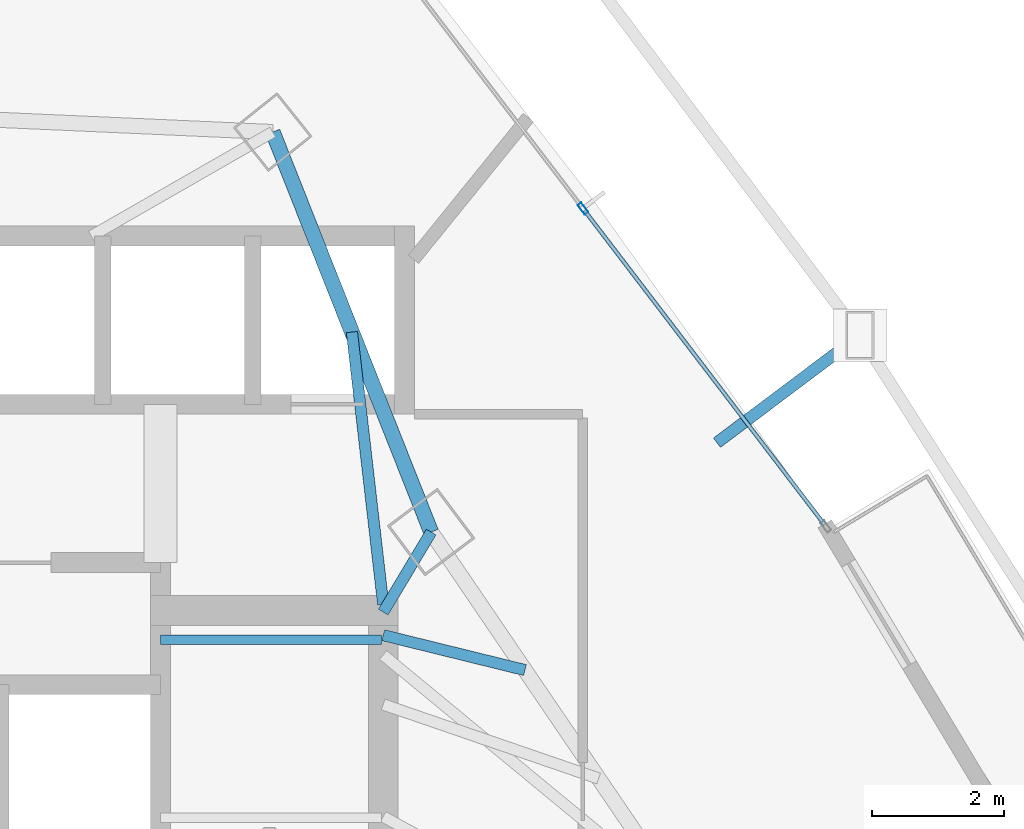
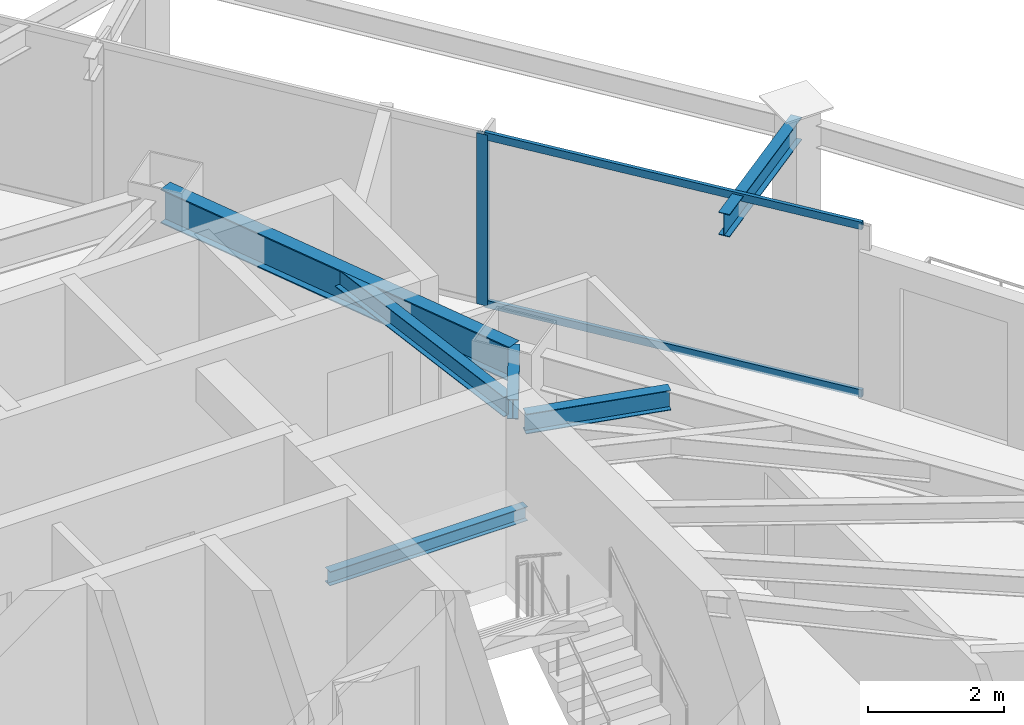
# One storey, part 25 of 33: 6 beams, 3 members, 1 element without a shape of its own.
"""IFC4 building model written with IfcOpenShell, lengths in metres."""

from ifc_helpers import new_model, si_unit, direction, frame, origin, origin_2d, place, context, subcontext, project, spatial, hollow_rectangle, i_section, extrude, material, layer, layer_set, material_profile, profile_set, type_object, element, aggregate, save


model = new_model("IFC4")

# Units and contexts
model_context = context("Model", 3, precision=1e-05, world=origin(), true_north=direction((0.0, 1.0)))
body_context = subcontext(model_context, "Body", "Model", "MODEL_VIEW")
ifc_project = project(units=[si_unit("LENGTHUNIT", "METRE"), si_unit("AREAUNIT", "SQUARE_METRE"), si_unit("VOLUMEUNIT", "CUBIC_METRE"), si_unit("PLANEANGLEUNIT", "RADIAN"), si_unit("MASSUNIT", "GRAM", prefix="KILO")], contexts=[model_context])

# Site, building, storey
site_placement = place(None, origin())
site = spatial("IfcSite", under=ifc_project, at=site_placement, CompositionType="ELEMENT")
building_placement = place(site_placement, origin())
building = spatial("IfcBuilding", under=site, at=building_placement, Name="Orvanel Arch Residences", CompositionType="ELEMENT")
storey_placement = place(building_placement, frame((0.0, 0.0, 87.35009765625)))
storey = spatial("IfcBuildingStorey", under=building, at=storey_placement, Name="L24", CompositionType="ELEMENT", Elevation=87.35009765625)

# Beams
ifc_material_1 = material(Name="Structural steel AS/NZS 3679.1 Grade 300 (300 MPa)", Category="steel")
ifc_material_profile_1 = material_profile(ifc_material_1, i_section(OverallWidth=0.14599609375, OverallDepth=0.251953125, WebThickness=0.006103515625, FlangeThickness=0.008544921875, at=origin_2d()), Name="250UB31.4")
ifc_profile_set_1 = profile_set([ifc_material_profile_1], Name="Structural steel AS/NZS 3679.1 Grade 300 (300 MPa)")
beam_type_1 = type_object("IfcBeamType", Name="BJ-250UB", PredefinedType="JOIST", material=ifc_profile_set_1)
beam_1_placement = place(storey_placement, frame((36.25, 33.47998046875, 1.323974609375), z_axis=(1.0, 0.0, 0.0), x_axis=(0.0, 1.0, 0.0)))
element("IfcBeam", 1, at=beam_1_placement, inside=storey, type_object=beam_type_1, Name="L24 ST-2 Half-Landing Support Beam 1.2", PredefinedType="JOIST", context=body_context, shape_type="SweptSolid", body=[
    extrude(i_section(OverallWidth=0.14599609375, OverallDepth=0.251953125, WebThickness=0.006103515625, FlangeThickness=0.008544921875, at=origin_2d()), origin(), (0.0, 0.0, 1.0), 3.35009765625),
])
ifc_material_profile_2 = material_profile(ifc_material_1, i_section(OverallWidth=0.1708984375, OverallDepth=0.35595703125, WebThickness=0.00732421875, FlangeThickness=0.011474609375, at=origin_2d()), Name="360UB50.7")
ifc_profile_set_2 = profile_set([ifc_material_profile_2], Name="Structural steel AS/NZS 3679.1 Grade 300 (300 MPa)")
beam_type_2 = type_object("IfcBeamType", Name="BJ-360UB", PredefinedType="JOIST", material=ifc_profile_set_2)
beam_2_placement = place(storey_placement, frame((39.625, 33.89990234375, 2.8818359375), z_axis=(0.514064138778, 0.857751748015, 0.0), x_axis=(-0.857751748015, 0.514064138778, 0.0)))
element("IfcBeam", 2, at=beam_2_placement, inside=storey, type_object=beam_type_2, Name="L24 NNE Wing Floor Joist", PredefinedType="JOIST", context=body_context, shape_type="SweptSolid", body=[
    extrude(i_section(OverallWidth=0.1708984375, OverallDepth=0.35595703125, WebThickness=0.00732421875, FlangeThickness=0.011474609375, at=origin_2d()), origin(), (0.0, 0.0, 1.0), 1.414306640625),
])
beam_3_placement = place(storey_placement, frame((39.625, 34.02001953125, 2.8818359375), z_axis=(-0.114186670431, 0.993459311847, 0.0), x_axis=(-0.993459311847, -0.114186670431, 0.0)))
element("IfcBeam", 3, at=beam_3_placement, inside=storey, type_object=beam_type_2, Name="L24 NNE2 Wing Floor Joist", PredefinedType="JOIST", context=body_context, shape_type="SweptSolid", body=[
    extrude(i_section(OverallWidth=0.1708984375, OverallDepth=0.35595703125, WebThickness=0.00732421875, FlangeThickness=0.011474609375, at=origin_2d()), origin(), (0.0, 0.0, 1.0), 4.152099609375),
])
beam_4_placement = place(storey_placement, frame((39.625, 33.550048828125, 2.8818359375), z_axis=(0.971005818547, -0.239055851942, 0.0), x_axis=(0.239055851942, 0.971005818547, 0.0)))
element("IfcBeam", 4, at=beam_4_placement, inside=storey, type_object=beam_type_2, Name="L24 JADD4 Wing Floor Joist", PredefinedType="JOIST", context=body_context, shape_type="SweptSolid", body=[
    extrude(i_section(OverallWidth=0.1708984375, OverallDepth=0.35595703125, WebThickness=0.00732421875, FlangeThickness=0.011474609375, at=origin_2d()), origin(), (0.0, 0.0, 1.0), 2.213134765625),
])

# Curtain wall, member
ifc_material_2 = material(Name="Bronze-anodised aluminium AA6063-T6", Category="aluminium")
ifc_layer = layer(ifc_material_2, 0.179931640625)
ifc_layer_set = layer_set([ifc_layer], Name="Bronze-anodised aluminium AA6063-T6")
curtain_wall_type = type_object("IfcCurtainWallType", Name="CW2-LOW-SYS", PredefinedType="NOTDEFINED", material=ifc_layer_set)
curtain_wall_placement = place(storey_placement, origin())
curtain_wall = element("IfcCurtainWall", 5, at=curtain_wall_placement, inside=storey, type_object=curtain_wall_type, Name="L24 CW2-LOW-SYS Unitised Curtain Wall", PredefinedType="NOTDEFINED")
ifc_material_profile_3 = material_profile(ifc_material_2, hollow_rectangle(XDim=0.070068359375, YDim=0.179931640625, WallThickness=0.00439453125, at=origin_2d()), Name="ALU180x70x4.5")
ifc_profile_set_3 = profile_set([ifc_material_profile_3], Name="Bronze-anodised aluminium AA6063-T6")
member_type_1 = type_object("IfcMemberType", Name="MUL-180x70", PredefinedType="MULLION", material=ifc_profile_set_3)
member_1_placement = place(storey_placement, frame((42.654052734375, 40.01904296875, 0.0), z_axis=(0.0, 0.0, 1.0), x_axis=(-0.794618292381, -0.607109355399, 0.0)))
member_1 = element("IfcMember", 6, at=member_1_placement, type_object=member_type_1, Name="CW-S2 mullion 2", PredefinedType="MULLION", context=body_context, shape_type="SweptSolid", body=[
    extrude(hollow_rectangle(XDim=0.070068359375, YDim=0.179931640625, WallThickness=0.00439453125, at=origin_2d()), origin(), (0.0, 0.0, 1.0), 3.059814453125),
])

# Beams
ifc_material_profile_4 = material_profile(ifc_material_1, i_section(OverallWidth=0.177978515625, OverallDepth=0.406005859375, WebThickness=0.0078125, FlangeThickness=0.0126953125, at=origin_2d()), Name="410UB59.7")
ifc_profile_set_4 = profile_set([ifc_material_profile_4], Name="Structural steel AS/NZS 3679.1 Grade 300 (300 MPa)")
beam_type_3 = type_object("IfcBeamType", Name="OB-410UB-EXT", PredefinedType="SPANDREL", material=ifc_profile_set_4)
beam_5_placement = place(storey_placement, frame((44.68505859375, 36.468017578125, 2.85693359375), z_axis=(0.799351118236, 0.600864202441, 0.0), x_axis=(-0.600864202441, 0.799351118236, 0.0)))
element("IfcBeam", 7, at=beam_5_placement, inside=storey, type_object=beam_type_3, Name="L24 Outer Frame Radial Tie Beam 11", PredefinedType="SPANDREL", context=body_context, shape_type="SweptSolid", body=[
    extrude(i_section(OverallWidth=0.177978515625, OverallDepth=0.406005859375, WebThickness=0.0078125, FlangeThickness=0.0126953125, at=origin_2d()), origin(), (0.0, 0.0, 1.0), 2.7109375),
])
ifc_material_profile_5 = material_profile(ifc_material_1, i_section(OverallWidth=0.22900390625, OverallDepth=0.612060546875, WebThickness=0.011962890625, FlangeThickness=0.01953125, at=origin_2d()), Name="610UB125")
ifc_profile_set_5 = profile_set([ifc_material_profile_5], Name="Structural steel AS/NZS 3679.1 Grade 300 (300 MPa)")
beam_type_4 = type_object("IfcBeamType", Name="SP-610UB", PredefinedType="SPANDREL", material=ifc_profile_set_5)
beam_6_placement = place(storey_placement, frame((40.35205078125, 35.113037109375, 2.75390625), z_axis=(-0.368233143579, 0.929733484376, 0.0), x_axis=(-0.929733484376, -0.368233143579, 0.0)))
element("IfcBeam", 8, at=beam_6_placement, inside=storey, type_object=beam_type_4, Name="L24 Perimeter Spandrel Beam 15", PredefinedType="SPANDREL", context=body_context, shape_type="SweptSolid", body=[
    extrude(i_section(OverallWidth=0.22900390625, OverallDepth=0.612060546875, WebThickness=0.011962890625, FlangeThickness=0.01953125, at=origin_2d()), origin(), (0.0, 0.0, 1.0), 6.523193359375),
])

# Member
ifc_material_profile_6 = material_profile(ifc_material_2, hollow_rectangle(XDim=0.06005859375, YDim=0.135009765625, WallThickness=0.00390625, at=origin_2d()), Name="ALU135x60x4")
ifc_profile_set_6 = profile_set([ifc_material_profile_6], Name="Bronze-anodised aluminium AA6063-T6")
member_type_2 = type_object("IfcMemberType", Name="TRN-135x60", PredefinedType="USERDEFINED", material=ifc_profile_set_6)
member_2_placement = place(storey_placement, frame((46.3154296875, 35.2265625, 0.02978515625), z_axis=(-0.607090348899, 0.794632813489, 0.0), x_axis=(-0.794632813489, -0.607090348899, 0.0)))
member_2 = element("IfcMember", 9, at=member_2_placement, type_object=member_type_2, Name="CW-S2 transom 1.1", ObjectType="TRANSOM", PredefinedType="USERDEFINED", context=body_context, shape_type="SweptSolid", body=[
    extrude(hollow_rectangle(XDim=0.06005859375, YDim=0.135009765625, WallThickness=0.00390625, at=origin_2d()), origin(), (0.0, 0.0, 1.0), 5.99609375),
])

member_3_placement = place(storey_placement, frame((46.3154296875, 35.2265625, 3.02978515625), z_axis=(-0.607090348899, 0.794632813489, 0.0), x_axis=(-0.794632813489, -0.607090348899, 0.0)))
member_3 = element("IfcMember", 10, at=member_3_placement, type_object=member_type_2, Name="CW-S2 transom 1.2", ObjectType="TRANSOM", PredefinedType="USERDEFINED", context=body_context, shape_type="SweptSolid", body=[
    extrude(hollow_rectangle(XDim=0.06005859375, YDim=0.135009765625, WallThickness=0.00390625, at=origin_2d()), origin(), (0.0, 0.0, 1.0), 5.99609375),
])

aggregate(curtain_wall, [member_1, member_2, member_3])

save(model, "model.ifc")
